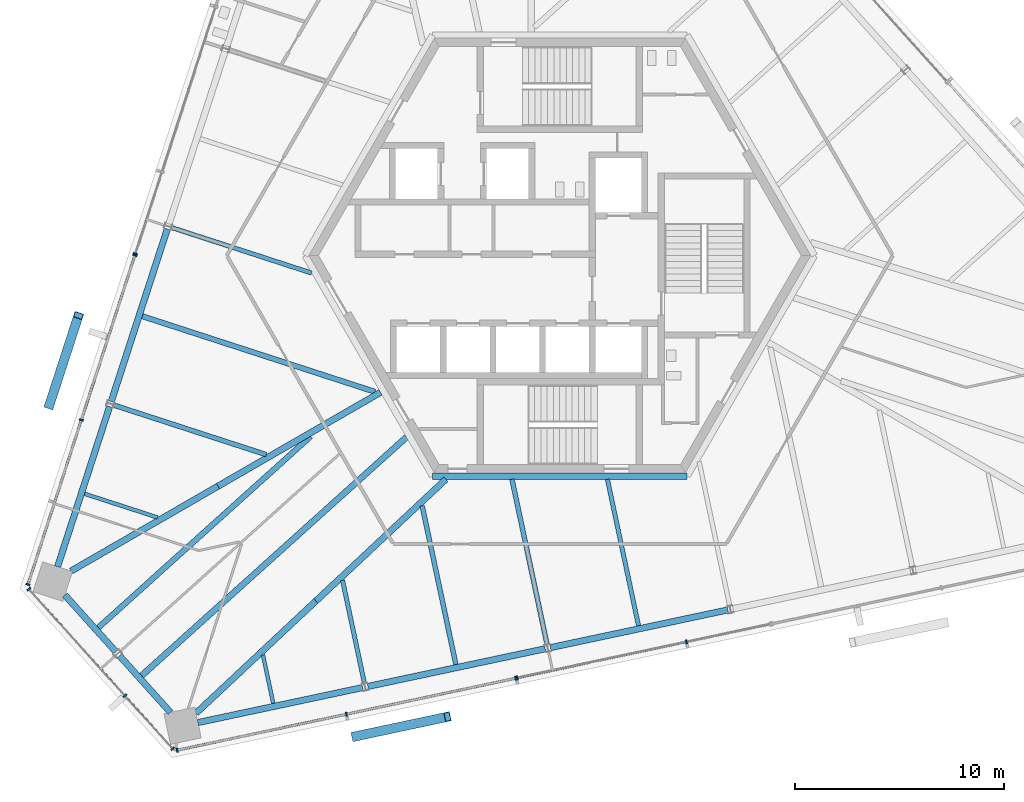
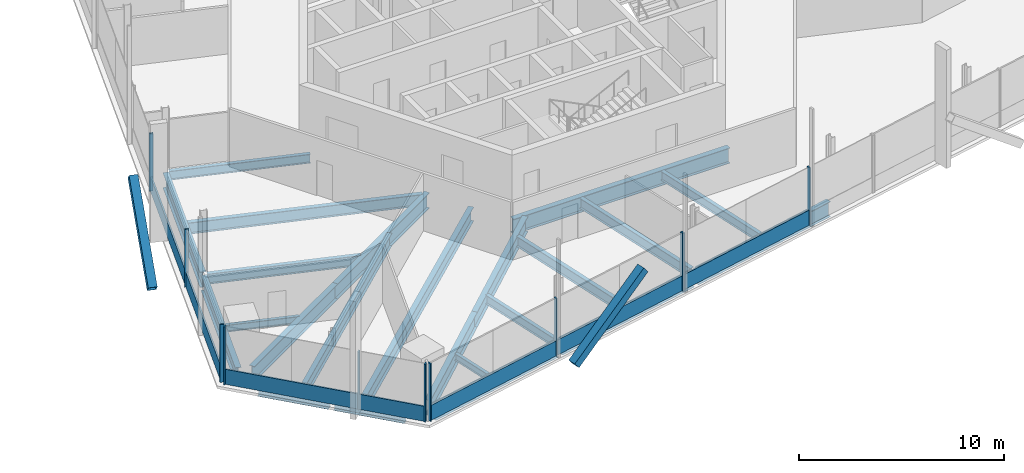
# One storey, part 4 of 16: 23 beams, 21 members, 5 elements without a shape of their own.
"""IFC4 building model written with IfcOpenShell, lengths in metres."""

from ifc_helpers import new_model, si_unit, direction, frame, origin, origin_2d, place, context, subcontext, project, spatial, rectangle, hollow_rectangle, i_section, extrude, source, transform, mapped, material, material_profile, profile_set, type_object, element, aggregate, save


model = new_model("IFC4")

# Units and contexts
model_context = context("Model", 3, precision=1e-05, world=origin(), true_north=direction((0.0, 1.0)))
body_context = subcontext(model_context, "Body", "Model", "MODEL_VIEW")
ifc_project = project(units=[si_unit("LENGTHUNIT", "METRE"), si_unit("AREAUNIT", "SQUARE_METRE"), si_unit("VOLUMEUNIT", "CUBIC_METRE"), si_unit("PLANEANGLEUNIT", "RADIAN"), si_unit("MASSUNIT", "GRAM", prefix="KILO")], contexts=[model_context])

# Site, building, storey
site_placement = place(None, origin())
site = spatial("IfcSite", under=ifc_project, at=site_placement, CompositionType="ELEMENT")
building_placement = place(site_placement, origin())
building = spatial("IfcBuilding", under=site, at=building_placement, Name="Triune Harvest Tower", CompositionType="ELEMENT")
storey_placement = place(building_placement, frame((0.0, 0.0, 266.699951171875)))
storey = spatial("IfcBuildingStorey", under=building, at=storey_placement, Name="L70", CompositionType="ELEMENT", Elevation=266.699951171875)

# Beams
ifc_material_1 = material(Name="Steel ASTM A992 Gr 50", Category="steel")
ifc_material_profile_1 = material_profile(ifc_material_1, i_section(OverallWidth=0.3046875, OverallDepth=0.914306640625, WebThickness=0.0166015625, FlangeThickness=0.02587890625, at=origin_2d()), Name="W36x160")
ifc_profile_set_1 = profile_set([ifc_material_profile_1], Name="Steel ASTM A992 Gr 50")
beam_type_1 = type_object("IfcBeamType", Name="CG-1 Core ring girder W36x160", PredefinedType="BEAM", material=ifc_profile_set_1)
shared_shape_1 = source(origin(), body_context, "Body", "SweptSolid", [
    extrude(i_section(OverallWidth=0.3046875, OverallDepth=0.914306640625, WebThickness=0.0166015625, FlangeThickness=0.02587890625, at=origin_2d()), origin(), (0.0, 0.0, 1.0), 12.17578125),
])
beam_1_placement = place(storey_placement, frame((-6.087890625, -10.544677734375, -0.6171875), z_axis=(1.0, 0.0, 0.0), x_axis=(0.0, 1.0, 0.0)))
element("IfcBeam", 1, at=beam_1_placement, inside=storey, type_object=beam_type_1, Name="beam/L70/CG5", PredefinedType="BEAM", context=body_context, shape_type="MappedRepresentation", body=[
    mapped(shared_shape_1, transform((0.0, 0.0, 0.0), scale=1.0)),
])
ifc_material_2 = material(Name="Steel ASTM A992 Gr 50", Category="steel")
ifc_material_profile_2 = material_profile(ifc_material_2, i_section(OverallWidth=0.3046875, OverallDepth=0.914306640625, WebThickness=0.0166015625, FlangeThickness=0.02587890625, at=origin_2d()), Name="W36x160")
ifc_profile_set_2 = profile_set([ifc_material_profile_2], Name="Steel ASTM A992 Gr 50")
beam_type_2 = type_object("IfcBeamType", Name="HG-3 Hip girder W36x160", PredefinedType="BEAM", material=ifc_profile_set_2)
shared_shape_2 = source(origin(), body_context, "Body", "SweptSolid", [
    extrude(i_section(OverallWidth=0.3046875, OverallDepth=0.914306640625, WebThickness=0.0166015625, FlangeThickness=0.02587890625, at=origin_2d()), origin(), (0.0, 0.0, 1.0), 8.97265625),
])
beam_2_placement = place(storey_placement, frame((-16.34619140625, -11.02734375, -0.6171875), z_axis=(0.866024277037, 0.500001951578, 0.0), x_axis=(-0.500001951578, 0.866024277037, 0.0)))
element("IfcBeam", 2, at=beam_2_placement, inside=storey, type_object=beam_type_2, Name="beam/L70/HG5", PredefinedType="BEAM", context=body_context, shape_type="MappedRepresentation", body=[
    mapped(shared_shape_2, transform((0.0, 0.0, 0.0), scale=1.0)),
])
ifc_material_3 = material(Name="Steel ASTM A992 Gr 50", Category="steel")
ifc_material_profile_3 = material_profile(ifc_material_3, i_section(OverallWidth=0.3046875, OverallDepth=0.914306640625, WebThickness=0.0166015625, FlangeThickness=0.02587890625, at=origin_2d()), Name="W36x160")
ifc_profile_set_3 = profile_set([ifc_material_profile_3], Name="Steel ASTM A992 Gr 50")
beam_type_3 = type_object("IfcBeamType", Name="SB-1 Spandrel beam W36x160", PredefinedType="SPANDREL", material=ifc_profile_set_3)
shared_shape_3 = source(origin(), body_context, "Body", "SweptSolid", [
    extrude(i_section(OverallWidth=0.3046875, OverallDepth=0.914306640625, WebThickness=0.0166015625, FlangeThickness=0.02587890625, at=origin_2d()), origin(), (0.0, 0.0, 1.0), 8.0498046875),
])
beam_3_placement = place(storey_placement, frame((-21.529296875, -7.220703125, -0.6171875), z_axis=(-0.30902160762, -0.951055017348, 0.0), x_axis=(0.951055017348, -0.30902160762, 0.0)))
element("IfcBeam", 3, at=beam_3_placement, inside=storey, type_object=beam_type_3, Name="beam/L70/SB12", PredefinedType="SPANDREL", context=body_context, shape_type="MappedRepresentation", body=[
    mapped(shared_shape_3, transform((0.0, 0.0, 0.0), scale=1.0)),
])
shared_shape_4 = source(origin(), body_context, "Body", "SweptSolid", [
    extrude(i_section(OverallWidth=0.3046875, OverallDepth=0.914306640625, WebThickness=0.0166015625, FlangeThickness=0.02587890625, at=origin_2d()), origin(), (0.0, 0.0, 1.0), 8.67138671875),
])
for number, where, z_axis, x_axis, name in (
    (4, (-18.7705078125, 1.270263671875, -0.6171875), (-0.309022409974, -0.951054756643, 0.0), (0.951054756643, -0.309022409974, 0.0), "beam/L70/SB11"),
    (5, (-9.1806640625, -20.603271484375, -0.6171875), (0.978145539793, 0.207921386546, 0.0), (-0.207921386546, 0.978145539793, 0.0), "beam/L70/SB16"),
    (6, (-0.44775390625, -18.7470703125, -0.6171875), (0.978145539793, 0.207921386546, 0.0), (-0.207921386546, 0.978145539793, 0.0), "beam/L70/SB17"),
):
    element("IfcBeam", number, at=place(storey_placement, frame(where, z_axis=z_axis, x_axis=x_axis)), inside=storey, type_object=beam_type_3, Name=name, PredefinedType="SPANDREL", context=body_context, shape_type="MappedRepresentation", body=[
        mapped(shared_shape_4, transform((0.0, 0.0, 0.0), scale=1.0)),
    ])
shared_shape_5 = source(origin(), body_context, "Body", "SweptSolid", [
    extrude(i_section(OverallWidth=0.3046875, OverallDepth=0.914306640625, WebThickness=0.0166015625, FlangeThickness=0.02587890625, at=origin_2d()), origin(), (0.0, 0.0, 1.0), 3.645751953125),
])
for number, where, z_axis, x_axis, name in (
    (7, (-23.669189453125, -16.2333984375, -0.6171875), (0.669138606654, -0.743137621901, 0.0), (0.743137621901, 0.669138606654, 0.0), "beam/L70/SB13"),
    (8, (-21.05810546875, -19.13330078125, -0.6171875), (0.669138606654, -0.743137621901, 0.0), (0.743137621901, 0.669138606654, 0.0), "beam/L70/SB14"),
):
    element("IfcBeam", number, at=place(storey_placement, frame(where, z_axis=z_axis, x_axis=x_axis)), inside=storey, type_object=beam_type_3, Name=name, PredefinedType="SPANDREL", context=body_context, shape_type="MappedRepresentation", body=[
        mapped(shared_shape_5, transform((0.0, 0.0, 0.0), scale=1.0)),
    ])
shared_shape_6 = source(origin(), body_context, "Body", "SweptSolid", [
    extrude(i_section(OverallWidth=0.3046875, OverallDepth=0.914306640625, WebThickness=0.0166015625, FlangeThickness=0.02587890625, at=origin_2d()), origin(), (0.0, 0.0, 1.0), 8.049560546875),
])
beam_4_placement = place(storey_placement, frame((-17.305419921875, -22.330322265625, -0.6171875), z_axis=(0.978148597907, 0.207906999431, 0.0), x_axis=(-0.207906999431, 0.978148597907, 0.0)))
element("IfcBeam", 9, at=beam_4_placement, inside=storey, type_object=beam_type_3, Name="beam/L70/SB15", PredefinedType="SPANDREL", context=body_context, shape_type="MappedRepresentation", body=[
    mapped(shared_shape_6, transform((0.0, 0.0, 0.0), scale=1.0)),
])
shared_shape_7 = source(origin(), body_context, "Body", "SweptSolid", [
    extrude(i_section(OverallWidth=0.3046875, OverallDepth=0.914306640625, WebThickness=0.0166015625, FlangeThickness=0.02587890625, at=origin_2d()), origin(), (0.0, 0.0, 1.0), 8.11572265625),
])
beam_5_placement = place(storey_placement, frame((-23.37451171875, -15.085205078125, -0.6171875), z_axis=(0.866022271607, 0.500005425051, 0.0), x_axis=(-0.500005425051, 0.866022271607, 0.0)))
element("IfcBeam", 10, at=beam_5_placement, inside=storey, type_object=beam_type_2, Name="beam/L70/HG4", PredefinedType="BEAM", context=body_context, shape_type="MappedRepresentation", body=[
    mapped(shared_shape_7, transform((0.0, 0.0, 0.0), scale=1.0)),
])
shared_shape_8 = source(origin(), body_context, "Body", "SweptSolid", [
    extrude(i_section(OverallWidth=0.3046875, OverallDepth=0.914306640625, WebThickness=0.0166015625, FlangeThickness=0.02587890625, at=origin_2d()), origin(), (0.0, 0.0, 1.0), 7.858642578125),
])
beam_6_placement = place(storey_placement, frame((-17.399658203125, -21.88720703125, -0.6171875), z_axis=(0.729902338859, 0.683551443367, 0.0), x_axis=(-0.683551443367, 0.729902338859, 0.0)))
element("IfcBeam", 11, at=beam_6_placement, inside=storey, type_object=beam_type_2, Name="beam/L70/HG6", PredefinedType="BEAM", context=body_context, shape_type="MappedRepresentation", body=[
    mapped(shared_shape_8, transform((0.0, 0.0, 0.0), scale=1.0)),
])
shared_shape_9 = source(origin(), body_context, "Body", "SweptSolid", [
    extrude(i_section(OverallWidth=0.3046875, OverallDepth=0.914306640625, WebThickness=0.0166015625, FlangeThickness=0.02587890625, at=origin_2d()), origin(), (0.0, 0.0, 1.0), 8.511962890625),
])
beam_7_placement = place(storey_placement, frame((-11.66357421875, -16.515380859375, -0.6171875), z_axis=(0.729902036757, 0.683551765954, 0.0), x_axis=(-0.683551765954, 0.729902036757, 0.0)))
element("IfcBeam", 12, at=beam_7_placement, inside=storey, type_object=beam_type_2, Name="beam/L70/HG7", PredefinedType="BEAM", context=body_context, shape_type="MappedRepresentation", body=[
    mapped(shared_shape_9, transform((0.0, 0.0, 0.0), scale=1.0)),
])
ifc_material_4 = material(Name="Steel ASTM A992 Gr 50", Category="steel")
ifc_material_profile_4 = material_profile(ifc_material_4, i_section(OverallWidth=0.180908203125, OverallDepth=0.41650390625, WebThickness=0.010986328125, FlangeThickness=0.01806640625, at=origin_2d()), Name="W16x57")
ifc_profile_set_4 = profile_set([ifc_material_profile_4], Name="Steel ASTM A992 Gr 50")
beam_type_4 = type_object("IfcBeamType", Name="JT-1 Floor joist W16x57", PredefinedType="JOIST", material=ifc_profile_set_4)
shared_shape_10 = source(origin(), body_context, "Body", "SweptSolid", [
    extrude(i_section(OverallWidth=0.180908203125, OverallDepth=0.41650390625, WebThickness=0.010986328125, FlangeThickness=0.01806640625, at=origin_2d()), origin(), (0.0, 0.0, 1.0), 2.364990234375),
])
beam_8_placement = place(storey_placement, frame((-13.704345703125, -21.4091796875, -0.3681640625), z_axis=(-0.207914315996, 0.978147042731, 0.0), x_axis=(-0.978147042731, -0.207914315996, 0.0)))
element("IfcBeam", 13, at=beam_8_placement, inside=storey, type_object=beam_type_4, Name="beam/L70/JT23", PredefinedType="JOIST", context=body_context, shape_type="MappedRepresentation", body=[
    mapped(shared_shape_10, transform((0.0, 0.0, 0.0), scale=1.0)),
])
ifc_material_5 = material(Name="Steel ASTM A992 Gr 50", Category="steel")
ifc_material_profile_5 = material_profile(ifc_material_5, i_section(OverallWidth=0.2099609375, OverallDepth=0.535888671875, WebThickness=0.010986328125, FlangeThickness=0.017333984375, at=origin_2d()), Name="W21x68")
ifc_profile_set_5 = profile_set([ifc_material_profile_5], Name="Steel ASTM A992 Gr 50")
beam_type_5 = type_object("IfcBeamType", Name="JT-2 Floor joist W21x68", PredefinedType="JOIST", material=ifc_profile_set_5)
shared_shape_11 = source(origin(), body_context, "Body", "SweptSolid", [
    extrude(i_section(OverallWidth=0.2099609375, OverallDepth=0.535888671875, WebThickness=0.010986328125, FlangeThickness=0.017333984375, at=origin_2d()), origin(), (0.0, 0.0, 1.0), 5.031982421875),
])
beam_9_placement = place(storey_placement, frame((-9.34375, -20.45361328125, -0.427978515625), z_axis=(-0.207895312057, 0.978151082004, 0.0), x_axis=(-0.978151082004, -0.207895312057, 0.0)))
element("IfcBeam", 14, at=beam_9_placement, inside=storey, type_object=beam_type_5, Name="beam/L70/JT24", PredefinedType="JOIST", context=body_context, shape_type="MappedRepresentation", body=[
    mapped(shared_shape_11, transform((0.0, 0.0, 0.0), scale=1.0)),
])
ifc_material_6 = material(Name="Steel ASTM A992 Gr 50", Category="steel")
ifc_material_profile_6 = material_profile(ifc_material_6, i_section(OverallWidth=0.22900390625, OverallDepth=0.612060546875, WebThickness=0.011962890625, FlangeThickness=0.01953125, at=origin_2d()), Name="W24x84")
ifc_profile_set_6 = profile_set([ifc_material_profile_6], Name="Steel ASTM A992 Gr 50")
beam_type_6 = type_object("IfcBeamType", Name="JT-3 Floor joist W24x84", PredefinedType="JOIST", material=ifc_profile_set_6)
shared_shape_12 = source(origin(), body_context, "Body", "SweptSolid", [
    extrude(i_section(OverallWidth=0.22900390625, OverallDepth=0.612060546875, WebThickness=0.011962890625, FlangeThickness=0.01953125, at=origin_2d()), origin(), (0.0, 0.0, 1.0), 7.755126953125),
])
beam_10_placement = place(storey_placement, frame((-4.971435546875, -19.552734375, -0.466064453125), z_axis=(-0.20790130149, 0.978149808996, 0.0), x_axis=(-0.978149808996, -0.20790130149, 0.0)))
element("IfcBeam", 15, at=beam_10_placement, inside=storey, type_object=beam_type_6, Name="beam/L70/JT25", PredefinedType="JOIST", context=body_context, shape_type="MappedRepresentation", body=[
    mapped(shared_shape_12, transform((0.0, 0.0, 0.0), scale=1.0)),
])
shared_shape_13 = source(origin(), body_context, "Body", "SweptSolid", [
    extrude(i_section(OverallWidth=0.22900390625, OverallDepth=0.612060546875, WebThickness=0.011962890625, FlangeThickness=0.01953125, at=origin_2d()), origin(), (0.0, 0.0, 1.0), 8.076904296875),
])
beam_11_placement = place(storey_placement, frame((-0.61083984375, -18.597412109375, -0.466064453125), z_axis=(-0.207902137341, 0.978149631339, 0.0), x_axis=(-0.978149631339, -0.207902137341, 0.0)))
element("IfcBeam", 16, at=beam_11_placement, inside=storey, type_object=beam_type_6, Name="beam/L70/JT26", PredefinedType="JOIST", context=body_context, shape_type="MappedRepresentation", body=[
    mapped(shared_shape_13, transform((0.0, 0.0, 0.0), scale=1.0)),
])
ifc_material_7 = material(Name="Steel ASTM A992 Gr 50", Category="steel")
ifc_material_profile_7 = material_profile(ifc_material_7, i_section(OverallWidth=0.253662109375, OverallDepth=0.683349609375, WebThickness=0.012451171875, FlangeThickness=0.01904296875, at=origin_2d()), Name="W27x94")
ifc_profile_set_7 = profile_set([ifc_material_profile_7], Name="Steel ASTM A992 Gr 50")
beam_type_7 = type_object("IfcBeamType", Name="JT-4 Floor joist W27x94", PredefinedType="JOIST", material=ifc_profile_set_7)
shared_shape_14 = source(origin(), body_context, "Body", "SweptSolid", [
    extrude(i_section(OverallWidth=0.253662109375, OverallDepth=0.683349609375, WebThickness=0.012451171875, FlangeThickness=0.01904296875, at=origin_2d()), origin(), (0.0, 0.0, 1.0), 11.70068359375),
])
beam_12_placement = place(storey_placement, frame((-19.96533203125, -2.900390625, -0.50146484375), z_axis=(0.951055533623, -0.309020018713, 0.0), x_axis=(0.309020018713, 0.951055533623, 0.0)))
element("IfcBeam", 17, at=beam_12_placement, inside=storey, type_object=beam_type_7, Name="beam/L70/JT18", PredefinedType="JOIST", context=body_context, shape_type="MappedRepresentation", body=[
    mapped(shared_shape_14, transform((0.0, 0.0, 0.0), scale=1.0)),
])
shared_shape_15 = source(origin(), body_context, "Body", "SweptSolid", [
    extrude(i_section(OverallWidth=0.22900390625, OverallDepth=0.612060546875, WebThickness=0.011962890625, FlangeThickness=0.01953125, at=origin_2d()), origin(), (0.0, 0.0, 1.0), 7.6533203125),
])
beam_13_placement = place(storey_placement, frame((-21.318115234375, -7.154541015625, -0.466064453125), z_axis=(0.951057977144, -0.309012498309, 0.0), x_axis=(0.309012498309, 0.951057977144, 0.0)))
element("IfcBeam", 18, at=beam_13_placement, inside=storey, type_object=beam_type_6, Name="beam/L70/JT19", PredefinedType="JOIST", context=body_context, shape_type="MappedRepresentation", body=[
    mapped(shared_shape_15, transform((0.0, 0.0, 0.0), scale=1.0)),
])
shared_shape_16 = source(origin(), body_context, "Body", "SweptSolid", [
    extrude(i_section(OverallWidth=0.180908203125, OverallDepth=0.41650390625, WebThickness=0.010986328125, FlangeThickness=0.01806640625, at=origin_2d()), origin(), (0.0, 0.0, 1.0), 3.661865234375),
])
beam_14_placement = place(storey_placement, frame((-22.72412109375, -11.391357421875, -0.3681640625), z_axis=(0.951056113966, -0.309018232614, 0.0), x_axis=(0.309018232614, 0.951056113966, 0.0)))
element("IfcBeam", 19, at=beam_14_placement, inside=storey, type_object=beam_type_4, Name="beam/L70/JT20", PredefinedType="JOIST", context=body_context, shape_type="MappedRepresentation", body=[
    mapped(shared_shape_16, transform((0.0, 0.0, 0.0), scale=1.0)),
])
shared_shape_17 = source(origin(), body_context, "Body", "SweptSolid", [
    extrude(i_section(OverallWidth=0.2099609375, OverallDepth=0.535888671875, WebThickness=0.010986328125, FlangeThickness=0.017333984375, at=origin_2d()), origin(), (0.0, 0.0, 1.0), 7.03515625),
])
beam_15_placement = place(storey_placement, frame((-18.559326171875, 1.336669921875, -0.427978515625), z_axis=(0.951053958357, -0.309024866787, 0.0), x_axis=(0.309024866787, 0.951053958357, 0.0)))
element("IfcBeam", 20, at=beam_15_placement, inside=storey, type_object=beam_type_5, Name="beam/L70/JT17", PredefinedType="JOIST", context=body_context, shape_type="MappedRepresentation", body=[
    mapped(shared_shape_17, transform((0.0, 0.0, 0.0), scale=1.0)),
])
ifc_material_8 = material(Name="Steel ASTM A992 Gr 50", Category="steel")
ifc_material_profile_8 = material_profile(ifc_material_8, i_section(OverallWidth=0.2666015625, OverallDepth=0.7568359375, WebThickness=0.013916015625, FlangeThickness=0.019287109375, at=origin_2d()), Name="W30x108")
ifc_profile_set_8 = profile_set([ifc_material_profile_8], Name="Steel ASTM A992 Gr 50")
beam_type_8 = type_object("IfcBeamType", Name="JT-5 Floor joist W30x108", PredefinedType="JOIST", material=ifc_profile_set_8)
shared_shape_18 = source(origin(), body_context, "Body", "SweptSolid", [
    extrude(i_section(OverallWidth=0.2666015625, OverallDepth=0.7568359375, WebThickness=0.013916015625, FlangeThickness=0.019287109375, at=origin_2d()), origin(), (0.0, 0.0, 1.0), 13.667724609375),
])
beam_16_placement = place(storey_placement, frame((-22.0654296875, -17.78662109375, -0.538330078125), z_axis=(0.743148465952, 0.66912656318, 0.0), x_axis=(-0.66912656318, 0.743148465952, 0.0)))
element("IfcBeam", 21, at=beam_16_placement, inside=storey, type_object=beam_type_8, Name="beam/L70/JT21", PredefinedType="JOIST", context=body_context, shape_type="MappedRepresentation", body=[
    mapped(shared_shape_18, transform((0.0, 0.0, 0.0), scale=1.0)),
])
ifc_material_9 = material(Name="Steel ASTM A992 Gr 50", Category="steel")
ifc_material_profile_9 = material_profile(ifc_material_9, i_section(OverallWidth=0.2919921875, OverallDepth=0.8408203125, WebThickness=0.0146484375, FlangeThickness=0.021728515625, at=origin_2d()), Name="W33x130")
ifc_profile_set_9 = profile_set([ifc_material_profile_9], Name="Steel ASTM A992 Gr 50")
beam_type_9 = type_object("IfcBeamType", Name="JT-6 Floor joist W33x130", PredefinedType="JOIST", material=ifc_profile_set_9)
shared_shape_19 = source(origin(), body_context, "Body", "SweptSolid", [
    extrude(i_section(OverallWidth=0.2919921875, OverallDepth=0.8408203125, WebThickness=0.0146484375, FlangeThickness=0.021728515625, at=origin_2d()), origin(), (0.0, 0.0, 1.0), 17.03466796875),
])
beam_17_placement = place(storey_placement, frame((-19.99560546875, -20.08544921875, -0.580322265625), z_axis=(0.743143047387, 0.669132581123, 0.0), x_axis=(-0.669132581123, 0.743143047387, 0.0)))
element("IfcBeam", 22, at=beam_17_placement, inside=storey, type_object=beam_type_9, Name="beam/L70/JT22", PredefinedType="JOIST", context=body_context, shape_type="MappedRepresentation", body=[
    mapped(shared_shape_19, transform((0.0, 0.0, 0.0), scale=1.0)),
])
shared_shape_20 = source(origin(), body_context, "Body", "SweptSolid", [
    extrude(i_section(OverallWidth=0.2099609375, OverallDepth=0.535888671875, WebThickness=0.010986328125, FlangeThickness=0.017333984375, at=origin_2d()), origin(), (0.0, 0.0, 1.0), 7.156005859375),
])
beam_18_placement = place(storey_placement, frame((3.761474609375, -17.696533203125, -0.427978515625), z_axis=(-0.207911801049, 0.978147577303, 0.0), x_axis=(-0.978147577303, -0.207911801049, 0.0)))
element("IfcBeam", 23, at=beam_18_placement, inside=storey, type_object=beam_type_5, Name="beam/L70/JT27", PredefinedType="JOIST", context=body_context, shape_type="MappedRepresentation", body=[
    mapped(shared_shape_20, transform((0.0, 0.0, 0.0), scale=1.0)),
])

# Members
ifc_material_10 = material(Name="Steel ASTM A572 Gr 50", Category="steel")
ifc_material_profile_10 = material_profile(ifc_material_10, hollow_rectangle(XDim=0.449951171875, YDim=0.449951171875, WallThickness=0.02490234375, at=origin_2d()), Name="Box 450x450x25")
ifc_profile_set_10 = profile_set([ifc_material_profile_10], Name="Steel ASTM A572 Gr 50")
member_type_1 = type_object("IfcMemberType", Name="BR-4 Brace Box 450x450x25", PredefinedType="BRACE", material=ifc_profile_set_10)
shared_shape_21 = source(origin(), body_context, "Body", "SweptSolid", [
    extrude(hollow_rectangle(XDim=0.449951171875, YDim=0.449951171875, WallThickness=0.02490234375, at=origin_2d()), origin(), (0.0, 0.0, 1.0), 5.789306640625),
])
member_1_placement = place(storey_placement, frame((-9.806396484375, -22.996337890625, 0.0), z_axis=(0.766009436387, 0.162825502857, 0.621866061934), x_axis=(-0.207918008245, 0.978146257902, 0.0)))
element("IfcMember", 24, at=member_1_placement, inside=storey, type_object=member_type_1, Name="brace/B7-F5/d1/3", PredefinedType="BRACE", context=body_context, shape_type="MappedRepresentation", body=[
    mapped(shared_shape_21, transform((0.0, 0.0, 0.0), scale=1.0)),
])
shared_shape_22 = source(origin(), body_context, "Body", "SweptSolid", [
    extrude(hollow_rectangle(XDim=0.449951171875, YDim=0.449951171875, WallThickness=0.02490234375, at=origin_2d()), origin(), (0.0, 0.0, 1.0), 5.7890625),
])
member_2_placement = place(storey_placement, frame((-24.41845703125, -7.178955078125, 0.0), z_axis=(0.241982631104, 0.744798753559, 0.621867528451), x_axis=(-0.951062953567, 0.308997181788, 0.0)))
element("IfcMember", 25, at=member_2_placement, inside=storey, type_object=member_type_1, Name="brace/B7-F3/d2/3", PredefinedType="BRACE", context=body_context, shape_type="MappedRepresentation", body=[
    mapped(shared_shape_22, transform((0.0, 0.0, 0.0), scale=1.0)),
])

# Curtain wall, member
ifc_material_11 = material(Name="Aluminium bronze anodised", Category="aluminium")
curtain_wall_type_1 = type_object("IfcCurtainWallType", Name="CW-1 Tower stick curtain wall", PredefinedType="NOTDEFINED", material=ifc_material_11)
curtain_wall_1_placement = place(storey_placement, origin())
curtain_wall_1 = element("IfcCurtainWall", 26, at=curtain_wall_1_placement, inside=storey, type_object=curtain_wall_type_1, Name="CW-1 B7-F3 L70 run 1001")
ifc_material_12 = material(Name="Aluminium bronze anodised", Category="aluminium")
ifc_material_profile_11 = material_profile(ifc_material_12, rectangle(XDim=0.199951171875, YDim=0.074951171875, at=origin_2d()), Name="MU-1 mullion 75 x 200")
ifc_profile_set_11 = profile_set([ifc_material_profile_11], Name="Aluminium bronze anodised")
member_type_2 = type_object("IfcMemberType", Name="MU-1 mullion 75 x 200", PredefinedType="MULLION", material=ifc_profile_set_11)
shared_shape_23 = source(origin(), body_context, "Body", "SweptSolid", [
    extrude(rectangle(XDim=0.199951171875, YDim=0.074951171875, at=origin_2d()), origin(), (0.0, 0.0, 1.0), 3.43994140625),
])
member_3_placement = place(storey_placement, frame((-20.298583984375, 0.080322265625, 0.0), z_axis=(0.0, 0.0, 1.0), x_axis=(0.951054284615, -0.309023862696, 0.0)))
member_3 = element("IfcMember", 27, at=member_3_placement, type_object=member_type_2, Name="CW-1 mullion B7-F3 1001.4", PredefinedType="MULLION", context=body_context, shape_type="MappedRepresentation", body=[
    mapped(shared_shape_23, transform((0.0, 0.0, 0.0), scale=1.0)),
])
aggregate(curtain_wall_1, [member_3])

# Curtain wall, members
ifc_material_13 = material(Name="Aluminium bronze anodised", Category="aluminium")
curtain_wall_type_2 = type_object("IfcCurtainWallType", Name="CW-7 Tower stick curtain wall with insulated spandrel infill", PredefinedType="NOTDEFINED", material=ifc_material_13)
curtain_wall_2_placement = place(storey_placement, origin())
curtain_wall_2 = element("IfcCurtainWall", 28, at=curtain_wall_2_placement, inside=storey, type_object=curtain_wall_type_2, Name="CW-7 B7-F3 L70 run 2001")
member_4_placement = place(storey_placement, frame((-20.32177734375, 0.009033203125, 0.0), z_axis=(0.0, 0.0, 1.0), x_axis=(0.951057638804, -0.309013539626, 0.0)))
member_4 = element("IfcMember", 29, at=member_4_placement, type_object=member_type_2, Name="CW-7 mullion B7-F3 2001.1", PredefinedType="MULLION", context=body_context, shape_type="MappedRepresentation", body=[
    mapped(shared_shape_23, transform((0.0, 0.0, 0.0), scale=1.0)),
])
member_5_placement = place(storey_placement, frame((-22.878662109375, -7.860107421875, 0.0), z_axis=(0.0, 0.0, 1.0), x_axis=(0.951057638804, -0.309013539626, 0.0)))
member_5 = element("IfcMember", 30, at=member_5_placement, type_object=member_type_2, Name="CW-7 mullion B7-F3 2001.3", PredefinedType="MULLION", context=body_context, shape_type="MappedRepresentation", body=[
    mapped(shared_shape_23, transform((0.0, 0.0, 0.0), scale=1.0)),
])
member_6_placement = place(storey_placement, frame((-25.435302734375, -15.729248046875, 0.0), z_axis=(0.0, 0.0, 1.0), x_axis=(0.951057638804, -0.309013539626, 0.0)))
member_6 = element("IfcMember", 31, at=member_6_placement, type_object=member_type_2, Name="CW-7 mullion B7-F3 2001.5", PredefinedType="MULLION", context=body_context, shape_type="MappedRepresentation", body=[
    mapped(shared_shape_23, transform((0.0, 0.0, 0.0), scale=1.0)),
])

curtain_wall_3_placement = place(storey_placement, origin())
curtain_wall_3 = element("IfcCurtainWall", 32, at=curtain_wall_3_placement, inside=storey, type_object=curtain_wall_type_1, Name="CW-1 B7-F4 L70 run 1")
member_7_placement = place(storey_placement, frame((-25.389404296875, -15.9453125, 0.0), z_axis=(0.0, 0.0, 1.0), x_axis=(0.743143542297, 0.669132031472, 0.0)))
member_7 = element("IfcMember", 33, at=member_7_placement, type_object=member_type_2, Name="CW-1 mullion B7-F4 1.1", PredefinedType="MULLION", context=body_context, shape_type="MappedRepresentation", body=[
    mapped(shared_shape_23, transform((0.0, 0.0, 0.0), scale=1.0)),
])
member_8_placement = place(storey_placement, frame((-20.7958984375, -21.046875, 0.0), z_axis=(0.0, 0.0, 1.0), x_axis=(0.743143542297, 0.669132031472, 0.0)))
member_8 = element("IfcMember", 34, at=member_8_placement, type_object=member_type_2, Name="CW-1 mullion B7-F4 1.3", PredefinedType="MULLION", context=body_context, shape_type="MappedRepresentation", body=[
    mapped(shared_shape_23, transform((0.0, 0.0, 0.0), scale=1.0)),
])
member_9_placement = place(storey_placement, frame((-18.51171875, -23.583740234375, 0.0), z_axis=(0.0, 0.0, 1.0), x_axis=(0.743143542297, 0.669132031472, 0.0)))
member_9 = element("IfcMember", 35, at=member_9_placement, type_object=member_type_2, Name="CW-1 mullion B7-F4 1.4", PredefinedType="MULLION", context=body_context, shape_type="MappedRepresentation", body=[
    mapped(shared_shape_23, transform((0.0, 0.0, 0.0), scale=1.0)),
])

curtain_wall_4_placement = place(storey_placement, origin())
curtain_wall_4 = element("IfcCurtainWall", 36, at=curtain_wall_4_placement, inside=storey, type_object=curtain_wall_type_2, Name="CW-7 B7-F5 L70 run 1")
member_10_placement = place(storey_placement, frame((-18.3017578125, -23.65185546875, 0.0), z_axis=(0.0, 0.0, 1.0), x_axis=(-0.2079086203, 0.978148253388, 0.0)))
member_10 = element("IfcMember", 37, at=member_10_placement, type_object=member_type_2, Name="CW-7 mullion B7-F5 1.1", PredefinedType="MULLION", context=body_context, shape_type="MappedRepresentation", body=[
    mapped(shared_shape_23, transform((0.0, 0.0, 0.0), scale=1.0)),
])
member_11_placement = place(storey_placement, frame((-10.20849609375, -21.931640625, 0.0), z_axis=(0.0, 0.0, 1.0), x_axis=(-0.2079086203, 0.978148253388, 0.0)))
member_11 = element("IfcMember", 38, at=member_11_placement, type_object=member_type_2, Name="CW-7 mullion B7-F5 1.3", PredefinedType="MULLION", context=body_context, shape_type="MappedRepresentation", body=[
    mapped(shared_shape_23, transform((0.0, 0.0, 0.0), scale=1.0)),
])
member_12_placement = place(storey_placement, frame((-2.115234375, -20.21142578125, 0.0), z_axis=(0.0, 0.0, 1.0), x_axis=(-0.2079086203, 0.978148253388, 0.0)))
member_12 = element("IfcMember", 39, at=member_12_placement, type_object=member_type_2, Name="CW-7 mullion B7-F5 1.5", PredefinedType="MULLION", context=body_context, shape_type="MappedRepresentation", body=[
    mapped(shared_shape_23, transform((0.0, 0.0, 0.0), scale=1.0)),
])

curtain_wall_5_placement = place(storey_placement, origin())
curtain_wall_5 = element("IfcCurtainWall", 40, at=curtain_wall_5_placement, inside=storey, type_object=curtain_wall_type_1, Name="CW-1 B7-F5 L70 run 1001")
member_13_placement = place(storey_placement, frame((-2.0419921875, -20.19580078125, 0.0), z_axis=(0.0, 0.0, 1.0), x_axis=(-0.207917272266, 0.978146414344, 0.0)))
member_13 = element("IfcMember", 41, at=member_13_placement, type_object=member_type_2, Name="CW-1 mullion B7-F5 1001.1", PredefinedType="MULLION", context=body_context, shape_type="MappedRepresentation", body=[
    mapped(shared_shape_23, transform((0.0, 0.0, 0.0), scale=1.0)),
])
member_14_placement = place(storey_placement, frame((6.051513671875, -18.4755859375, 0.0), z_axis=(0.0, 0.0, 1.0), x_axis=(-0.207917272266, 0.978146414344, 0.0)))
member_14 = element("IfcMember", 42, at=member_14_placement, type_object=member_type_2, Name="CW-1 mullion B7-F5 1001.3", PredefinedType="MULLION", context=body_context, shape_type="MappedRepresentation", body=[
    mapped(shared_shape_23, transform((0.0, 0.0, 0.0), scale=1.0)),
])

# Member
ifc_material_14 = material(Name="Aluminium bronze anodised", Category="aluminium")
ifc_material_profile_12 = material_profile(ifc_material_14, rectangle(XDim=0.090087890625, YDim=0.89990234375, at=origin_2d()), Name="TR-1 transom 90 x 900")
ifc_profile_set_12 = profile_set([ifc_material_profile_12], Name="Aluminium bronze anodised")
member_type_3 = type_object("IfcMemberType", Name="TR-1 transom 90 x 900", PredefinedType="USERDEFINED", material=ifc_profile_set_12)
shared_shape_24 = source(origin(), body_context, "Body", "SweptSolid", [
    extrude(rectangle(XDim=0.090087890625, YDim=0.89990234375, at=origin_2d()), origin(), (0.0, 0.0, 1.0), 6.7900390625),
])
member_15_placement = place(storey_placement, frame((-25.364501953125, -15.97314453125, 0.449951171875), z_axis=(0.669139526396, -0.743136793743, 0.0), x_axis=(0.743136793743, 0.669139526396, 0.0)))
member_15 = element("IfcMember", 43, at=member_15_placement, type_object=member_type_3, Name="CW-1 transom B7-F4 1.1", ObjectType="TRANSOM", PredefinedType="USERDEFINED", context=body_context, shape_type="MappedRepresentation", body=[
    mapped(shared_shape_24, transform((0.0, 0.0, 0.0), scale=1.0)),
])

shared_shape_25 = source(origin(), body_context, "Body", "SweptSolid", [
    extrude(rectangle(XDim=0.090087890625, YDim=0.89990234375, at=origin_2d()), origin(), (0.0, 0.0, 1.0), 3.338623046875),
])
member_16_placement = place(storey_placement, frame((-20.77099609375, -21.07470703125, 0.449951171875), z_axis=(0.66917479026, -0.743105039736, 0.0), x_axis=(0.743105039736, 0.66917479026, 0.0)))
member_16 = element("IfcMember", 44, at=member_16_placement, type_object=member_type_3, Name="CW-1 transom B7-F4 1.2", ObjectType="TRANSOM", PredefinedType="USERDEFINED", context=body_context, shape_type="MappedRepresentation", body=[
    mapped(shared_shape_25, transform((0.0, 0.0, 0.0), scale=1.0)),
])

aggregate(curtain_wall_3, [member_7, member_8, member_9, member_15, member_16])

shared_shape_26 = source(origin(), body_context, "Body", "SweptSolid", [
    extrude(rectangle(XDim=0.090087890625, YDim=0.89990234375, at=origin_2d()), origin(), (0.0, 0.0, 1.0), 8.198974609375),
])
member_17_placement = place(storey_placement, frame((-20.33349609375, -0.026611328125, 0.449951171875), z_axis=(-0.308991809103, -0.951064699117, 0.0), x_axis=(0.951064699117, -0.308991809103, 0.0)))
member_17 = element("IfcMember", 45, at=member_17_placement, type_object=member_type_3, Name="CW-7 transom B7-F3 2001.1", ObjectType="TRANSOM", PredefinedType="USERDEFINED", context=body_context, shape_type="MappedRepresentation", body=[
    mapped(shared_shape_26, transform((0.0, 0.0, 0.0), scale=1.0)),
])

member_18_placement = place(storey_placement, frame((-2.005126953125, -20.18798828125, 0.449951171875), z_axis=(0.978143182853, 0.207932474226, 0.0), x_axis=(-0.207932474226, 0.978143182853, 0.0)))
member_18 = element("IfcMember", 46, at=member_18_placement, type_object=member_type_3, Name="CW-1 transom B7-F5 1001.1", ObjectType="TRANSOM", PredefinedType="USERDEFINED", context=body_context, shape_type="MappedRepresentation", body=[
    mapped(shared_shape_26, transform((0.0, 0.0, 0.0), scale=1.0)),
])

aggregate(curtain_wall_5, [member_13, member_14, member_18])

shared_shape_27 = source(origin(), body_context, "Body", "SweptSolid", [
    extrude(rectangle(XDim=0.090087890625, YDim=0.89990234375, at=origin_2d()), origin(), (0.0, 0.0, 1.0), 8.19921875),
])
member_19_placement = place(storey_placement, frame((-22.89013671875, -7.895751953125, 0.449951171875), z_axis=(-0.309018742385, -0.951055948331, 0.0), x_axis=(0.951055948331, -0.309018742385, 0.0)))
member_19 = element("IfcMember", 47, at=member_19_placement, type_object=member_type_3, Name="CW-7 transom B7-F3 2001.2", ObjectType="TRANSOM", PredefinedType="USERDEFINED", context=body_context, shape_type="MappedRepresentation", body=[
    mapped(shared_shape_27, transform((0.0, 0.0, 0.0), scale=1.0)),
])

aggregate(curtain_wall_2, [member_4, member_5, member_6, member_17, member_19])

member_20_placement = place(storey_placement, frame((-18.26513671875, -23.64404296875, 0.449951171875), z_axis=(0.978150525776, 0.207897929101, 0.0), x_axis=(-0.207897929101, 0.978150525776, 0.0)))
member_20 = element("IfcMember", 48, at=member_20_placement, type_object=member_type_3, Name="CW-7 transom B7-F5 1.1", ObjectType="TRANSOM", PredefinedType="USERDEFINED", context=body_context, shape_type="MappedRepresentation", body=[
    mapped(shared_shape_27, transform((0.0, 0.0, 0.0), scale=1.0)),
])

member_21_placement = place(storey_placement, frame((-10.171875, -21.923828125, 0.449951171875), z_axis=(0.978150525776, 0.207897929101, 0.0), x_axis=(-0.207897929101, 0.978150525776, 0.0)))
member_21 = element("IfcMember", 49, at=member_21_placement, type_object=member_type_3, Name="CW-7 transom B7-F5 1.2", ObjectType="TRANSOM", PredefinedType="USERDEFINED", context=body_context, shape_type="MappedRepresentation", body=[
    mapped(shared_shape_27, transform((0.0, 0.0, 0.0), scale=1.0)),
])

aggregate(curtain_wall_4, [member_10, member_11, member_12, member_20, member_21])

save(model, "model.ifc")
